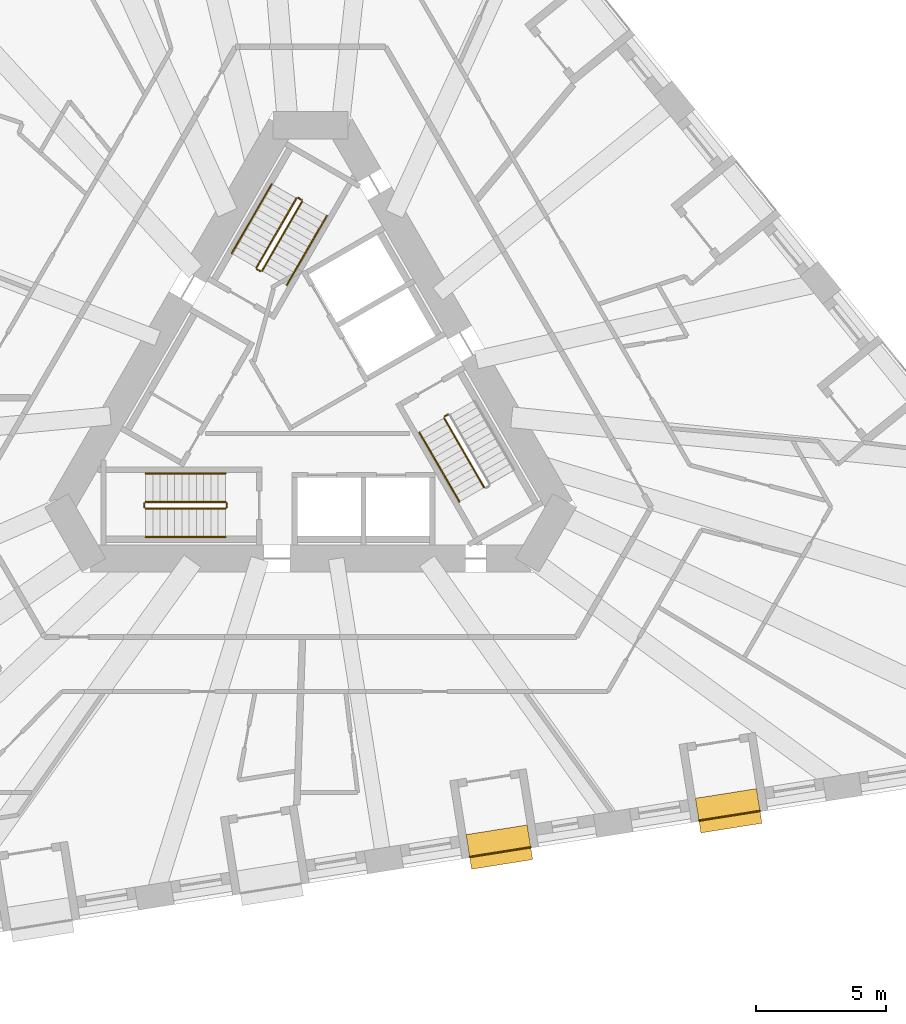
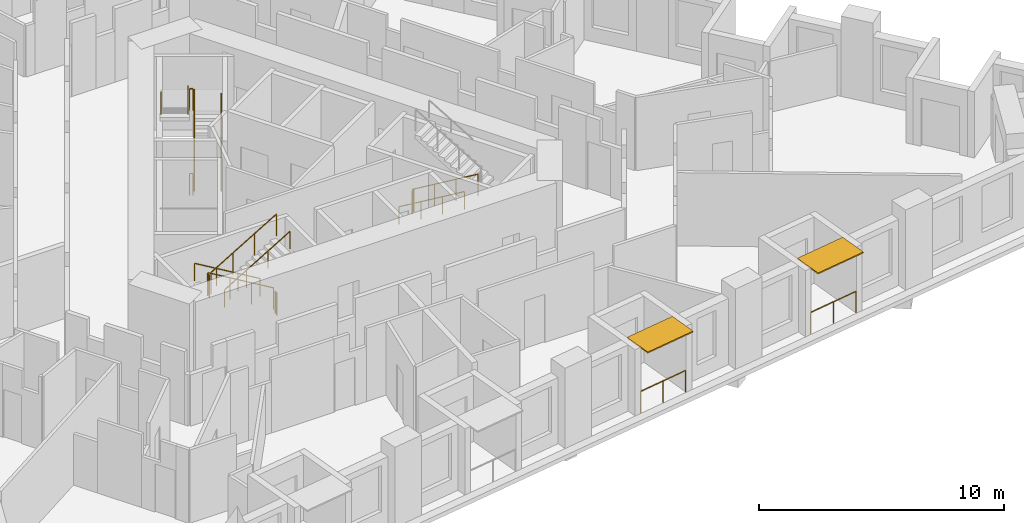
# One storey, part 12 of 14: 17 railings, 2 shading devices.
"""IFC4 building model written with IfcOpenShell, lengths in metres."""

from ifc_helpers import new_model, si_unit, direction, frame, origin, origin_2d, place, context, subcontext, project, spatial, rectangle, circle, extrude, material, layer, layer_set, type_object, element, save


model = new_model("IFC4")

# Units and contexts
model_context = context("Model", 3, precision=1e-05, world=origin(), true_north=direction((0.0, 1.0)))
body_context = subcontext(model_context, "Body", "Model", "MODEL_VIEW")
ifc_project = project(units=[si_unit("LENGTHUNIT", "METRE"), si_unit("AREAUNIT", "SQUARE_METRE"), si_unit("VOLUMEUNIT", "CUBIC_METRE"), si_unit("PLANEANGLEUNIT", "RADIAN"), si_unit("MASSUNIT", "GRAM", prefix="KILO")], contexts=[model_context])

# Site, building, storey
site_placement = place(None, origin())
site = spatial("IfcSite", under=ifc_project, at=site_placement, CompositionType="ELEMENT")
building_placement = place(site_placement, origin())
building = spatial("IfcBuilding", under=site, at=building_placement, Name="Tramontana Tower", CompositionType="ELEMENT")
storey_placement = place(building_placement, frame((0.0, 0.0, 71.199951171875)))
storey = spatial("IfcBuildingStorey", under=building, at=storey_placement, Name="L15", CompositionType="ELEMENT", Elevation=71.199951171875)

# Railings
ifc_material_1 = material(Name="Laminated glass balustrade", Category="glass")
railing_type_1 = type_object("IfcRailingType", Name="GD1 Loggia glass balustrade 1100", PredefinedType="BALUSTRADE", material=ifc_material_1)
railing_1_placement = place(storey_placement, frame((6.1318359375, -17.72900390625, 0.0)))
element("IfcRailing", 1, at=railing_1_placement, inside=storey, type_object=railing_type_1, Name="Loggia balustrade L15 G1S1.10", PredefinedType="BALUSTRADE", context=body_context, shape_type="SweptSolid", body=[
    extrude(circle(Radius=0.02392578125, at=origin_2d()), frame((0.0, 0.0, 1.076171875), z_axis=(0.987688093492, 0.15643602518, 0.0), x_axis=(-0.15643602518, 0.987688093492, 0.0)), (0.0, 0.0, 1.0), 2.383056640625),
    extrude(circle(Radius=0.02099609375, at=origin_2d()), origin(), (0.0, 0.0, 1.0), 1.052001953125),
    extrude(circle(Radius=0.02099609375, at=origin_2d()), frame((1.1767578125, 0.1865234375, 0.0)), (0.0, 0.0, 1.0), 1.052001953125),
    extrude(circle(Radius=0.02099609375, at=origin_2d()), frame((2.353759765625, 0.372802734375, 0.0)), (0.0, 0.0, 1.0), 1.052001953125),
])
railing_2_placement = place(storey_placement, frame((14.970703125, -16.3291015625, 0.0)))
element("IfcRailing", 2, at=railing_2_placement, inside=storey, type_object=railing_type_1, Name="Loggia balustrade L15 G1S1.13", PredefinedType="BALUSTRADE", context=body_context, shape_type="SweptSolid", body=[
    extrude(circle(Radius=0.02392578125, at=origin_2d()), frame((0.0, 0.0, 1.076171875), z_axis=(0.987685586014, 0.156451855793, 0.0), x_axis=(-0.156451855793, 0.987685586014, 0.0)), (0.0, 0.0, 1.0), 2.3828125),
    extrude(circle(Radius=0.02099609375, at=origin_2d()), origin(), (0.0, 0.0, 1.0), 1.052001953125),
    extrude(circle(Radius=0.02099609375, at=origin_2d()), frame((1.1767578125, 0.1865234375, 0.0)), (0.0, 0.0, 1.0), 1.052001953125),
    extrude(circle(Radius=0.02099609375, at=origin_2d()), frame((2.353515625, 0.372802734375, 0.0)), (0.0, 0.0, 1.0), 1.052001953125),
])

# Shading devices
ifc_material_2 = material(Name="Precast concrete 60 MPa", Category="concrete")
ifc_layer = layer(ifc_material_2, 0.06005859375)
ifc_layer_set = layer_set([ifc_layer], Name="SS1 Stone sunshade blade 60")
shading_device_type = type_object("IfcShadingDeviceType", Name="SS1 Stone sunshade blade 60", PredefinedType="USERDEFINED", material=ifc_layer_set)
for number, where, z_axis, x_axis, name in (
    (3, (7.2783203125, -17.35009765625, 3.239990234375), (0.0, 0.0, 1.0), (0.987688340595, 0.15643446504, 0.0), "Sunshade L15 G1S1.10"),
    (4, (16.116943359375, -15.9501953125, 3.239990234375), (0.0, 0.0, 1.0), (0.987688340595, 0.15643446504, 0.0), "Sunshade L15 G1S1.13"),
):
    element("IfcShadingDevice", number, at=place(storey_placement, frame(where, z_axis=z_axis, x_axis=x_axis)), inside=storey, type_object=shading_device_type, Name=name, ObjectType="SUNSHADE", PredefinedType="USERDEFINED", context=body_context, shape_type="SweptSolid", body=[
        extrude(rectangle(XDim=2.383056640625, YDim=1.35009765625, at=origin_2d()), origin(), (0.0, 0.0, 1.0), 0.06005859375),
    ])

# Railings
ifc_material_3 = material(Name="Painted steel", Category="steel")
railing_type_2 = type_object("IfcRailingType", Name="STAIR GUARD 1100", PredefinedType="GUARDRAIL", material=ifc_material_3)
railing_3_placement = place(storey_placement, frame((-1.867431640625, 4.865478515625, 0.166748046875)))
element("IfcRailing", 5, at=railing_3_placement, inside=storey, type_object=railing_type_2, Name="L15 ST1 stair guard 1", PredefinedType="GUARDRAIL", context=body_context, shape_type="SweptSolid", body=[
    extrude(circle(Radius=0.02392578125, at=origin_2d()), frame((0.0, 0.0, 1.076171875), z_axis=(0.429649414936, 0.744189839504, 0.511451721109), x_axis=(-0.866029832698, 0.499992328818, 0.0)), (0.0, 0.0, 1.0), 3.58447265625),
    extrude(circle(Radius=0.02099609375, at=origin_2d()), origin(), (0.0, 0.0, 1.0), 1.052001953125),
    extrude(circle(Radius=0.02099609375, at=origin_2d()), frame((0.513427734375, 0.88916015625, 0.611083984375)), (0.0, 0.0, 1.0), 1.052001953125),
    extrude(circle(Radius=0.02099609375, at=origin_2d()), frame((1.026611328125, 1.7783203125, 1.22216796875)), (0.0, 0.0, 1.0), 1.052001953125),
    extrude(circle(Radius=0.02099609375, at=origin_2d()), frame((1.5400390625, 2.66748046875, 1.833251953125)), (0.0, 0.0, 1.0), 1.052001953125),
])
railing_4_placement = place(storey_placement, frame((-0.5439453125, 7.657958984375, 2.166748046875)))
element("IfcRailing", 6, at=railing_4_placement, inside=storey, type_object=railing_type_2, Name="L15 ST1 stair guard 2", PredefinedType="GUARDRAIL", context=body_context, shape_type="SweptSolid", body=[
    extrude(circle(Radius=0.02392578125, at=origin_2d()), frame((0.0, 0.0, 1.076171875), z_axis=(-0.429649414936, -0.744189839504, 0.511451721109), x_axis=(0.866029832698, -0.499992328818, 0.0)), (0.0, 0.0, 1.0), 3.58447265625),
    extrude(circle(Radius=0.02099609375, at=origin_2d()), origin(), (0.0, 0.0, 1.0), 1.052001953125),
    extrude(circle(Radius=0.02099609375, at=origin_2d()), frame((-0.513427734375, -0.88916015625, 0.611083984375)), (0.0, 0.0, 1.0), 1.052001953125),
    extrude(circle(Radius=0.02099609375, at=origin_2d()), frame((-1.026611328125, -1.7783203125, 1.22216796875)), (0.0, 0.0, 1.0), 1.052001953125),
    extrude(circle(Radius=0.02099609375, at=origin_2d()), frame((-1.5400390625, -2.66748046875, 1.833251953125)), (0.0, 0.0, 1.0), 1.052001953125),
])
railing_5_placement = place(storey_placement, frame((-0.345703125, 7.601318359375, 2.0)))
element("IfcRailing", 7, at=railing_5_placement, inside=storey, type_object=railing_type_2, Name="L15 ST1 stair guard 3", PredefinedType="GUARDRAIL", context=body_context, shape_type="SweptSolid", body=[
    extrude(circle(Radius=0.02392578125, at=origin_2d()), frame((0.0, 0.0, 1.076171875), z_axis=(-0.866131372301, 0.499816412211, 0.0), x_axis=(-0.499816412211, -0.866131372301, 0.0)), (0.0, 0.0, 1.0), 0.14990234375),
    extrude(circle(Radius=0.02099609375, at=origin_2d()), origin(), (0.0, 0.0, 1.0), 1.052001953125),
    extrude(circle(Radius=0.02099609375, at=origin_2d()), frame((-0.1298828125, 0.074951171875, 0.0)), (0.0, 0.0, 1.0), 1.052001953125),
])
railing_6_placement = place(storey_placement, frame((-1.935791015625, 4.84716796875, 0.0)))
element("IfcRailing", 8, at=railing_6_placement, inside=storey, type_object=railing_type_2, Name="L15 ST1 stair guard 4", PredefinedType="GUARDRAIL", context=body_context, shape_type="SweptSolid", body=[
    extrude(circle(Radius=0.02392578125, at=origin_2d()), frame((0.0, 0.0, 1.076171875), z_axis=(-0.865426285481, 0.501036270542, 0.0), x_axis=(-0.501036270542, -0.865426285481, 0.0)), (0.0, 0.0, 1.0), 0.150146484375),
    extrude(circle(Radius=0.02099609375, at=origin_2d()), origin(), (0.0, 0.0, 1.0), 1.052001953125),
    extrude(circle(Radius=0.02099609375, at=origin_2d()), frame((-0.1298828125, 0.0751953125, 0.0)), (0.0, 0.0, 1.0), 1.052001953125),
])
railing_7_placement = place(storey_placement, frame((-3.280029296875, -4.050048828125, 0.166748046875)))
element("IfcRailing", 9, at=railing_7_placement, inside=storey, type_object=railing_type_2, Name="L15 ST2 stair guard 1", PredefinedType="GUARDRAIL", context=body_context, shape_type="SweptSolid", body=[
    extrude(circle(Radius=0.02392578125, at=origin_2d()), frame((0.0, 0.0, 1.076171875), z_axis=(-0.859308565015, 0.0, 0.511457515432), x_axis=(0.0, -1.0, 0.0)), (0.0, 0.0, 1.0), 3.58447265625),
    extrude(circle(Radius=0.02099609375, at=origin_2d()), origin(), (0.0, 0.0, 1.0), 1.052001953125),
    extrude(circle(Radius=0.02099609375, at=origin_2d()), frame((-1.026611328125, 0.0, 0.611083984375)), (0.0, 0.0, 1.0), 1.052001953125),
    extrude(circle(Radius=0.02099609375, at=origin_2d()), frame((-2.053466796875, 0.0, 1.22216796875)), (0.0, 0.0, 1.0), 1.052001953125),
    extrude(circle(Radius=0.02099609375, at=origin_2d()), frame((-3.080078125, 0.0, 1.833251953125)), (0.0, 0.0, 1.0), 1.052001953125),
])
railing_8_placement = place(storey_placement, frame((-6.360107421875, -4.300048828125, 2.166748046875)))
element("IfcRailing", 10, at=railing_8_placement, inside=storey, type_object=railing_type_2, Name="L15 ST2 stair guard 2", PredefinedType="GUARDRAIL", context=body_context, shape_type="SweptSolid", body=[
    extrude(circle(Radius=0.02392578125, at=origin_2d()), frame((0.0, 0.0, 1.076171875), z_axis=(0.859308565015, 0.0, 0.511457515432), x_axis=(0.0, 1.0, 0.0)), (0.0, 0.0, 1.0), 3.58447265625),
    extrude(circle(Radius=0.02099609375, at=origin_2d()), origin(), (0.0, 0.0, 1.0), 1.052001953125),
    extrude(circle(Radius=0.02099609375, at=origin_2d()), frame((1.026611328125, 0.0, 0.611083984375)), (0.0, 0.0, 1.0), 1.052001953125),
    extrude(circle(Radius=0.02099609375, at=origin_2d()), frame((2.053466796875, 0.0, 1.22216796875)), (0.0, 0.0, 1.0), 1.052001953125),
    extrude(circle(Radius=0.02099609375, at=origin_2d()), frame((3.080078125, 0.0, 1.833251953125)), (0.0, 0.0, 1.0), 1.052001953125),
])
for number, where, name in (
    (11, (-6.409912109375, -4.10009765625, 2.0), "L15 ST2 stair guard 3"),
    (12, (-3.22998046875, -4.10009765625, 0.0), "L15 ST2 stair guard 4"),
):
    element("IfcRailing", number, at=place(storey_placement, frame(where)), inside=storey, type_object=railing_type_2, Name=name, PredefinedType="GUARDRAIL", context=body_context, shape_type="SweptSolid", body=[
        extrude(circle(Radius=0.02392578125, at=origin_2d()), frame((0.0, 0.0, 1.076171875), z_axis=(0.0, -1.0, 0.0), x_axis=(1.0, 0.0, 0.0)), (0.0, 0.0, 1.0), 0.14990234375),
        extrude(circle(Radius=0.02099609375, at=origin_2d()), origin(), (0.0, 0.0, 1.0), 1.052001953125),
        extrude(circle(Radius=0.02099609375, at=origin_2d()), frame((0.0, -0.14990234375, 0.0)), (0.0, 0.0, 1.0), 1.052001953125),
    ])
railing_9_placement = place(storey_placement, frame((5.1474609375, -0.815673828125, 0.166748046875)))
element("IfcRailing", 13, at=railing_9_placement, inside=storey, type_object=railing_type_2, Name="L15 ST3 stair guard 1", PredefinedType="GUARDRAIL", context=body_context, shape_type="SweptSolid", body=[
    extrude(circle(Radius=0.02392578125, at=origin_2d()), frame((0.0, 0.0, 1.076171875), z_axis=(0.429671193721, -0.744159446956, 0.511477646425), x_axis=(0.866010015463, 0.500026652407, 0.0)), (0.0, 0.0, 1.0), 3.584228515625),
    extrude(circle(Radius=0.02099609375, at=origin_2d()), origin(), (0.0, 0.0, 1.0), 1.052001953125),
    extrude(circle(Radius=0.02099609375, at=origin_2d()), frame((0.513427734375, -0.88916015625, 0.611083984375)), (0.0, 0.0, 1.0), 1.052001953125),
    extrude(circle(Radius=0.02099609375, at=origin_2d()), frame((1.026611328125, -1.778076171875, 1.22216796875)), (0.0, 0.0, 1.0), 1.052001953125),
    extrude(circle(Radius=0.02099609375, at=origin_2d()), frame((1.5400390625, -2.667236328125, 1.833251953125)), (0.0, 0.0, 1.0), 1.052001953125),
])
railing_10_placement = place(storey_placement, frame((5.165771484375, -0.747314453125, 0.0)))
element("IfcRailing", 14, at=railing_10_placement, inside=storey, type_object=railing_type_2, Name="L15 ST3 stair guard 4", PredefinedType="GUARDRAIL", context=body_context, shape_type="SweptSolid", body=[
    extrude(circle(Radius=0.02392578125, at=origin_2d()), frame((0.0, 0.0, 1.076171875), z_axis=(0.866131372301, 0.499816412211, 0.0), x_axis=(-0.499816412211, 0.866131372301, 0.0)), (0.0, 0.0, 1.0), 0.14990234375),
    extrude(circle(Radius=0.02099609375, at=origin_2d()), origin(), (0.0, 0.0, 1.0), 1.052001953125),
    extrude(circle(Radius=0.02099609375, at=origin_2d()), frame((0.1298828125, 0.074951171875, 0.0)), (0.0, 0.0, 1.0), 1.052001953125),
])
ifc_material_4 = material(Name="Painted steel", Category="steel")
railing_type_3 = type_object("IfcRailingType", Name="STAIR HANDRAIL 900", PredefinedType="HANDRAIL", material=ifc_material_4)
railing_11_placement = place(storey_placement, frame((-0.914794921875, 4.315673828125, 0.166748046875)))
element("IfcRailing", 15, at=railing_11_placement, inside=storey, type_object=railing_type_3, Name="L15 ST1 stair handrail 1", PredefinedType="HANDRAIL", context=body_context, shape_type="SweptSolid", body=[
    extrude(circle(Radius=0.02392578125, at=origin_2d()), frame((0.0, 0.0, 0.8759765625), z_axis=(0.429671193721, 0.744159446956, 0.511477646425), x_axis=(-0.866010015463, 0.500026652407, 0.0)), (0.0, 0.0, 1.0), 3.584228515625),
    extrude(circle(Radius=0.02099609375, at=origin_2d()), origin(), (0.0, 0.0, 1.0), 0.851806640625),
    extrude(circle(Radius=0.02099609375, at=origin_2d()), frame((0.513427734375, 0.88916015625, 0.611083984375)), (0.0, 0.0, 1.0), 0.851806640625),
    extrude(circle(Radius=0.02099609375, at=origin_2d()), frame((1.026611328125, 1.778076171875, 1.22216796875)), (0.0, 0.0, 1.0), 0.851806640625),
    extrude(circle(Radius=0.02099609375, at=origin_2d()), frame((1.5400390625, 2.667236328125, 1.833251953125)), (0.0, 0.0, 1.0), 0.851806640625),
])
railing_12_placement = place(storey_placement, frame((-1.49658203125, 8.2080078125, 2.166748046875)))
element("IfcRailing", 16, at=railing_12_placement, inside=storey, type_object=railing_type_3, Name="L15 ST1 stair handrail 2", PredefinedType="HANDRAIL", context=body_context, shape_type="SweptSolid", body=[
    extrude(circle(Radius=0.02392578125, at=origin_2d()), frame((0.0, 0.0, 0.8759765625), z_axis=(-0.429649414936, -0.744189839504, 0.511451721109), x_axis=(0.866029832698, -0.499992328818, 0.0)), (0.0, 0.0, 1.0), 3.58447265625),
    extrude(circle(Radius=0.02099609375, at=origin_2d()), origin(), (0.0, 0.0, 1.0), 0.851806640625),
    extrude(circle(Radius=0.02099609375, at=origin_2d()), frame((-0.513427734375, -0.88916015625, 0.611083984375)), (0.0, 0.0, 1.0), 0.851806640625),
    extrude(circle(Radius=0.02099609375, at=origin_2d()), frame((-1.026611328125, -1.7783203125, 1.22216796875)), (0.0, 0.0, 1.0), 0.851806640625),
    extrude(circle(Radius=0.02099609375, at=origin_2d()), frame((-1.5400390625, -2.66748046875, 1.833251953125)), (0.0, 0.0, 1.0), 0.851806640625),
])
railing_13_placement = place(storey_placement, frame((-3.280029296875, -2.949951171875, 0.166748046875)))
element("IfcRailing", 17, at=railing_13_placement, inside=storey, type_object=railing_type_3, Name="L15 ST2 stair handrail 1", PredefinedType="HANDRAIL", context=body_context, shape_type="SweptSolid", body=[
    extrude(circle(Radius=0.02392578125, at=origin_2d()), frame((0.0, 0.0, 0.8759765625), z_axis=(-0.859308565015, 0.0, 0.511457515432), x_axis=(0.0, -1.0, 0.0)), (0.0, 0.0, 1.0), 3.58447265625),
    extrude(circle(Radius=0.02099609375, at=origin_2d()), origin(), (0.0, 0.0, 1.0), 0.851806640625),
    extrude(circle(Radius=0.02099609375, at=origin_2d()), frame((-1.026611328125, 0.0, 0.611083984375)), (0.0, 0.0, 1.0), 0.851806640625),
    extrude(circle(Radius=0.02099609375, at=origin_2d()), frame((-2.053466796875, 0.0, 1.22216796875)), (0.0, 0.0, 1.0), 0.851806640625),
    extrude(circle(Radius=0.02099609375, at=origin_2d()), frame((-3.080078125, 0.0, 1.833251953125)), (0.0, 0.0, 1.0), 0.851806640625),
])
railing_14_placement = place(storey_placement, frame((-6.360107421875, -5.39990234375, 2.166748046875)))
element("IfcRailing", 18, at=railing_14_placement, inside=storey, type_object=railing_type_3, Name="L15 ST2 stair handrail 2", PredefinedType="HANDRAIL", context=body_context, shape_type="SweptSolid", body=[
    extrude(circle(Radius=0.02392578125, at=origin_2d()), frame((0.0, 0.0, 0.8759765625), z_axis=(0.859308565015, 0.0, 0.511457515432), x_axis=(0.0, 1.0, 0.0)), (0.0, 0.0, 1.0), 3.58447265625),
    extrude(circle(Radius=0.02099609375, at=origin_2d()), origin(), (0.0, 0.0, 1.0), 0.851806640625),
    extrude(circle(Radius=0.02099609375, at=origin_2d()), frame((1.026611328125, 0.0, 0.611083984375)), (0.0, 0.0, 1.0), 0.851806640625),
    extrude(circle(Radius=0.02099609375, at=origin_2d()), frame((2.053466796875, 0.0, 1.22216796875)), (0.0, 0.0, 1.0), 0.851806640625),
    extrude(circle(Radius=0.02099609375, at=origin_2d()), frame((3.080078125, 0.0, 1.833251953125)), (0.0, 0.0, 1.0), 0.851806640625),
])
railing_15_placement = place(storey_placement, frame((4.19482421875, -1.365478515625, 0.166748046875)))
element("IfcRailing", 19, at=railing_15_placement, inside=storey, type_object=railing_type_3, Name="L15 ST3 stair handrail 1", PredefinedType="HANDRAIL", context=body_context, shape_type="SweptSolid", body=[
    extrude(circle(Radius=0.02392578125, at=origin_2d()), frame((0.0, 0.0, 0.8759765625), z_axis=(0.429649414936, -0.744189839504, 0.511451721109), x_axis=(0.866029832698, 0.499992328818, 0.0)), (0.0, 0.0, 1.0), 3.58447265625),
    extrude(circle(Radius=0.02099609375, at=origin_2d()), origin(), (0.0, 0.0, 1.0), 0.851806640625),
    extrude(circle(Radius=0.02099609375, at=origin_2d()), frame((0.513427734375, -0.88916015625, 0.611083984375)), (0.0, 0.0, 1.0), 0.851806640625),
    extrude(circle(Radius=0.02099609375, at=origin_2d()), frame((1.026611328125, -1.7783203125, 1.22216796875)), (0.0, 0.0, 1.0), 0.851806640625),
    extrude(circle(Radius=0.02099609375, at=origin_2d()), frame((1.5400390625, -2.66748046875, 1.833251953125)), (0.0, 0.0, 1.0), 0.851806640625),
])

save(model, "model.ifc")
